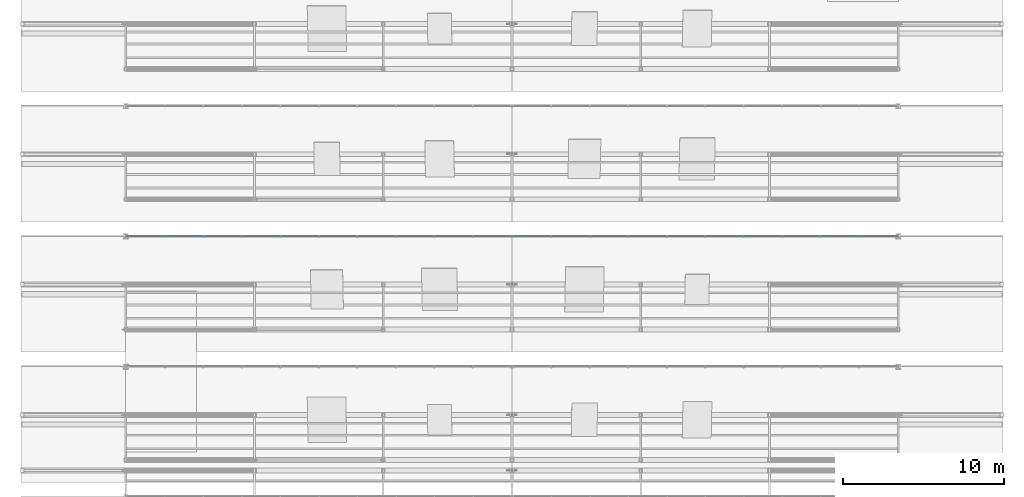
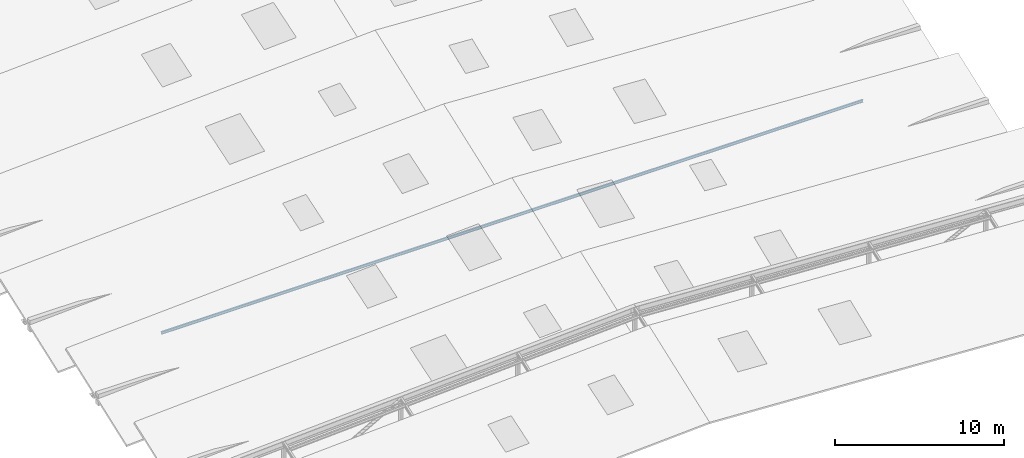
# One storey, part 38 of 141: 1 member.
"""IFC4 building model written with IfcOpenShell, lengths in metres."""

from ifc_helpers import new_model, si_unit, direction, frame, origin, origin_2d, place, context, subcontext, project, spatial, i_section, extrude, material, material_profile, profile_set, type_object, element, save


model = new_model("IFC4")

# Units and contexts
model_context = context("Model", 3, precision=1e-05, world=origin(), true_north=direction((0.0, 1.0)))
body_context = subcontext(model_context, "Body", "Model", "MODEL_VIEW")
ifc_project = project(units=[si_unit("LENGTHUNIT", "METRE"), si_unit("AREAUNIT", "SQUARE_METRE"), si_unit("VOLUMEUNIT", "CUBIC_METRE"), si_unit("PLANEANGLEUNIT", "RADIAN"), si_unit("MASSUNIT", "GRAM", prefix="KILO")], contexts=[model_context])

# Site, building, storey
site_placement = place(None, origin())
site = spatial("IfcSite", under=ifc_project, at=site_placement, CompositionType="ELEMENT")
building_placement = place(site_placement, origin())
building = spatial("IfcBuilding", under=site, at=building_placement, Name="Sundkrona Museum", CompositionType="ELEMENT")
storey_placement = place(building_placement, frame((0.0, 0.0, 34.0)))
storey = spatial("IfcBuildingStorey", under=building, at=storey_placement, Name="RF", CompositionType="ELEMENT", Elevation=34.0)

# Member
ifc_material = material(Name="Steel S355J2", Category="steel")
ifc_material_profile = material_profile(ifc_material, i_section(OverallWidth=0.10009765625, OverallDepth=0.199951171875, WebThickness=0.005615234375, FlangeThickness=0.008544921875, FilletRadius=0.011962890625, at=origin_2d()), Name="IPE 200")
ifc_profile_set = profile_set([ifc_material_profile], Name="Steel S355J2")
member_type = type_object("IfcMemberType", Name="PR-IPE200", PredefinedType="PURLIN", material=ifc_profile_set)
member_placement = place(storey_placement, frame((120.0, 18.39990234375, 2.962890625), z_axis=(1.0, 0.0, 0.0), x_axis=(0.0, 1.0, 0.0)))
element("IfcMember", 1, at=member_placement, inside=storey, type_object=member_type, Name="RFS-1 Sawtooth Bay 3 Clerestory Sill Beam", PredefinedType="PURLIN", context=body_context, shape_type="SweptSolid", body=[
    extrude(i_section(OverallWidth=0.10009765625, OverallDepth=0.199951171875, WebThickness=0.005615234375, FlangeThickness=0.008544921875, FilletRadius=0.011962890625, at=origin_2d()), origin(), (0.0, 0.0, 1.0), 48.0),
])

save(model, "model.ifc")
